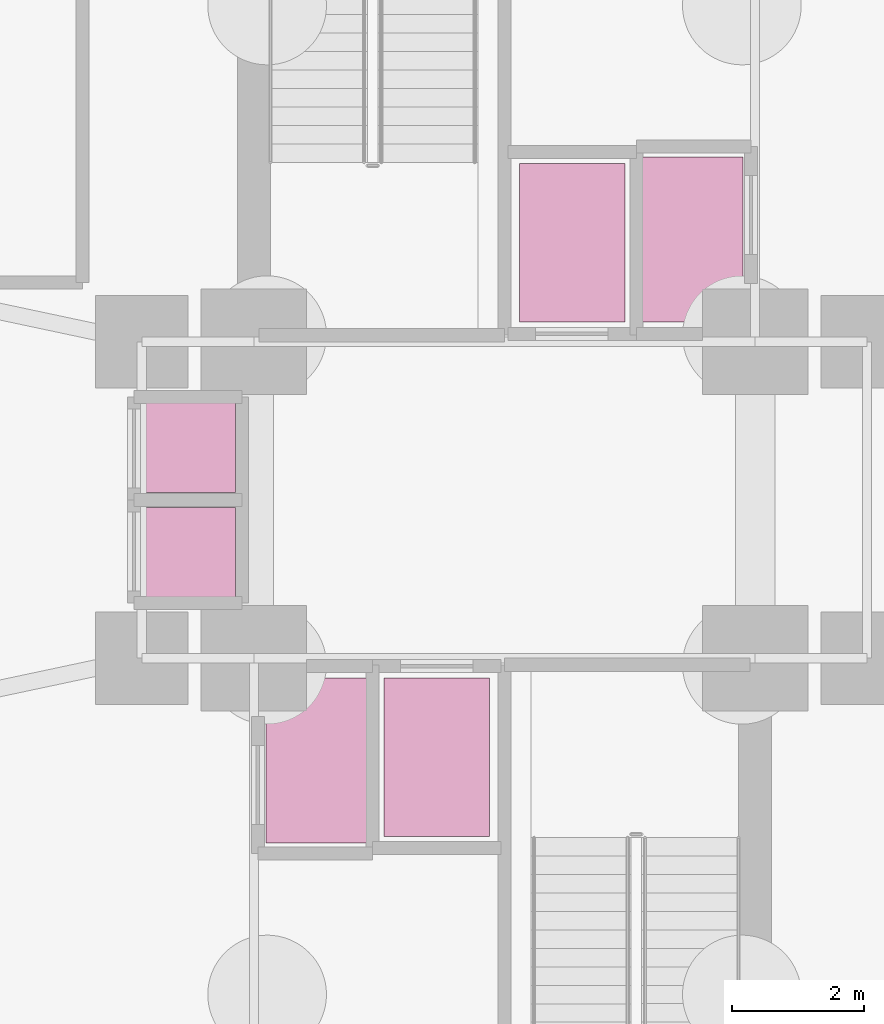
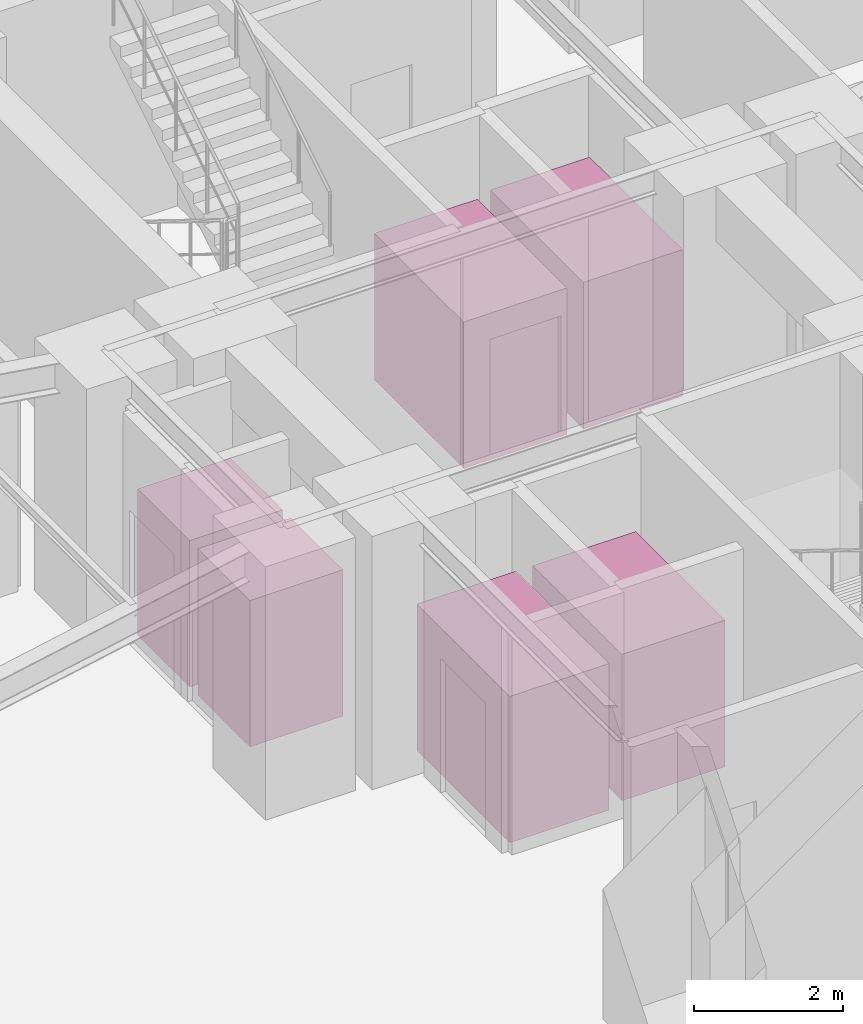
# One storey, part 15 of 15: 6 transport elements.
"""IFC4 building model written with IfcOpenShell, lengths in metres."""

from ifc_helpers import new_model, si_unit, direction, frame, origin, origin_2d, place, context, subcontext, project, spatial, rectangle, extrude, source, transform, mapped, material, type_object, element, save


model = new_model("IFC4")

# Units and contexts
model_context = context("Model", 3, precision=1e-05, world=origin(), true_north=direction((0.0, 1.0)))
body_context = subcontext(model_context, "Body", "Model", "MODEL_VIEW")
ifc_project = project(units=[si_unit("LENGTHUNIT", "METRE"), si_unit("AREAUNIT", "SQUARE_METRE"), si_unit("VOLUMEUNIT", "CUBIC_METRE"), si_unit("PLANEANGLEUNIT", "RADIAN"), si_unit("MASSUNIT", "GRAM", prefix="KILO")], contexts=[model_context])

# Site, building, storey
site_placement = place(None, origin())
site = spatial("IfcSite", under=ifc_project, at=site_placement, CompositionType="ELEMENT")
building_placement = place(site_placement, origin())
building = spatial("IfcBuilding", under=site, at=building_placement, Name="Sahyath Konkavel Grand Hotel", CompositionType="ELEMENT")
storey_placement = place(building_placement, frame((0.0, 0.0, -9.0)))
storey = spatial("IfcBuildingStorey", under=building, at=storey_placement, Name="B2", CompositionType="ELEMENT", Elevation=-9.0)

# Transport elements
ifc_material = material(Name="Steel E350 and Stainless Car", Category="steel")
transport_element_type_1 = type_object("IfcTransportElementType", Name="LFT-FFL-1600x2400", PredefinedType="ELEVATOR", material=ifc_material)
shared_shape_1 = source(origin(), body_context, "Body", "SweptSolid", [
    extrude(rectangle(XDim=1.60009765625, YDim=2.39990234375, at=origin_2d()), origin(), (0.0, 0.0, 1.0), 2.39990234375),
])
for number, where, z_axis, x_axis, name in (
    (1, (1.02490234375, 3.89990234375, 0.0), (0.0, 0.0, 1.0), (1.0, 0.0, 0.0), "Firefighting Firefighting Lift FFL-1"),
    (2, (-1.02490234375, -3.89990234375, 0.0), (0.0, 0.0, 1.0), (1.0, 0.0, 0.0), "Firefighting Firefighting Lift FFL-2"),
):
    element("IfcTransportElement", number, at=place(storey_placement, frame(where, z_axis=z_axis, x_axis=x_axis)), inside=storey, type_object=transport_element_type_1, Name=name, PredefinedType="ELEVATOR", context=body_context, shape_type="MappedRepresentation", body=[
        mapped(shared_shape_1, transform((0.0, 0.0, 0.0), scale=1.0)),
    ])
transport_element_type_2 = type_object("IfcTransportElementType", Name="LFT-SVL-1600x2500", PredefinedType="ELEVATOR", material=ifc_material)
shared_shape_2 = source(origin(), body_context, "Body", "SweptSolid", [
    extrude(rectangle(XDim=1.5400390625, YDim=2.5, at=origin_2d()), origin(), (0.0, 0.0, 1.0), 2.39990234375),
])
for number, where, z_axis, x_axis, name in (
    (3, (2.85009765625, 3.949951171875, 0.0), (0.0, 0.0, 1.0), (1.0, 0.0, 0.0), "Service Service Lift SVL-1"),
    (4, (-2.85009765625, -3.949951171875, 0.0), (0.0, 0.0, 1.0), (1.0, 0.0, 0.0), "Service Service Lift SVL-2"),
):
    element("IfcTransportElement", number, at=place(storey_placement, frame(where, z_axis=z_axis, x_axis=x_axis)), inside=storey, type_object=transport_element_type_2, Name=name, PredefinedType="ELEVATOR", context=body_context, shape_type="MappedRepresentation", body=[
        mapped(shared_shape_2, transform((0.0, 0.0, 0.0), scale=1.0)),
    ])
transport_element_type_3 = type_object("IfcTransportElementType", Name="LFT-SHT-2000x2400", PredefinedType="ELEVATOR", material=ifc_material)
shared_shape_3 = source(origin(), body_context, "Body", "SweptSolid", [
    extrude(rectangle(XDim=1.43994140625, YDim=1.39990234375, at=origin_2d()), origin(), (0.0, 0.0, 1.0), 2.39990234375),
])
for number, where, z_axis, x_axis, name in (
    (5, (-4.800048828125, 0.81005859375, 0.0), (0.0, 0.0, 1.0), (1.0, 0.0, 0.0), "Shuttle Passenger Lift SL-1"),
    (6, (-4.800048828125, -0.81005859375, 0.0), (0.0, 0.0, 1.0), (1.0, 0.0, 0.0), "Shuttle Passenger Lift SL-2"),
):
    element("IfcTransportElement", number, at=place(storey_placement, frame(where, z_axis=z_axis, x_axis=x_axis)), inside=storey, type_object=transport_element_type_3, Name=name, PredefinedType="ELEVATOR", context=body_context, shape_type="MappedRepresentation", body=[
        mapped(shared_shape_3, transform((0.0, 0.0, 0.0), scale=1.0)),
    ])

save(model, "model.ifc")
